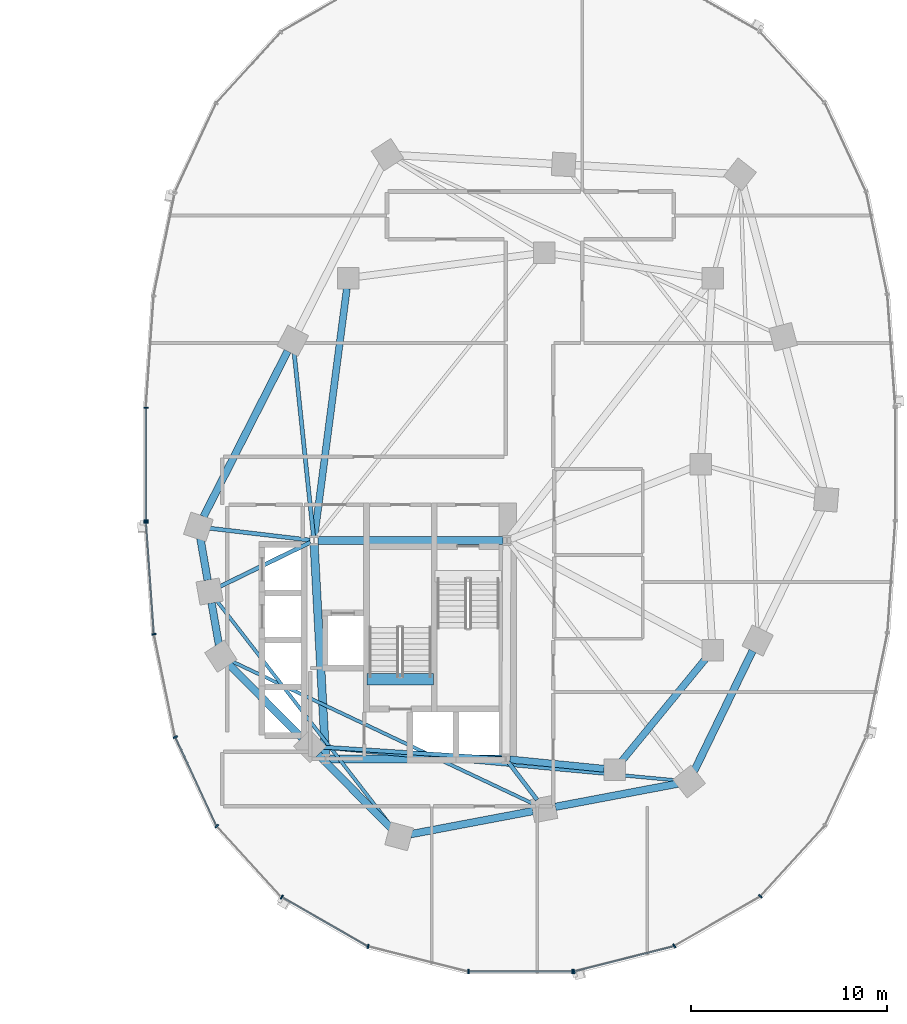
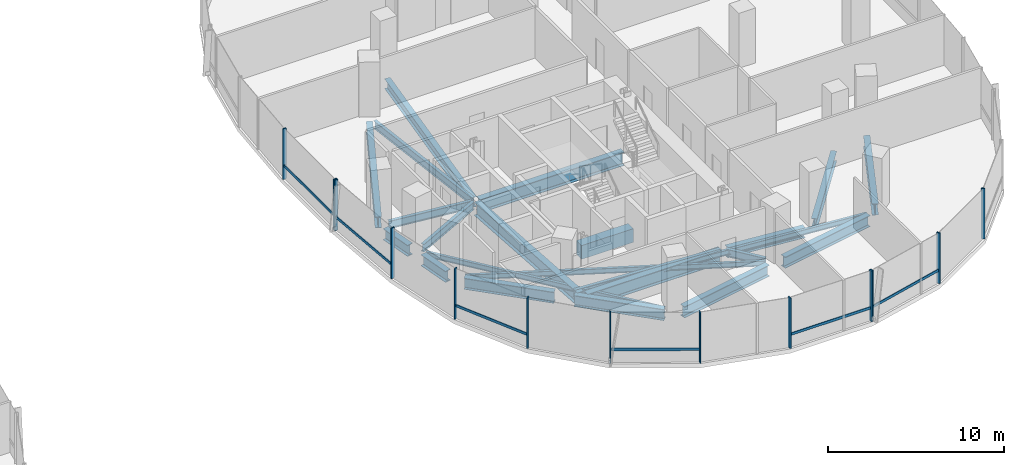
# One storey, part 5 of 22: 23 beams, 19 members, 3 elements without a shape of their own.
"""IFC4 building model written with IfcOpenShell, lengths in metres."""

from ifc_helpers import new_model, si_unit, direction, frame, origin, origin_2d, place, context, subcontext, project, spatial, rectangle, i_section, extrude, material, material_profile, profile_set, type_object, element, aggregate, save


model = new_model("IFC4")

# Units and contexts
model_context = context("Model", 3, precision=1e-05, world=origin(), true_north=direction((0.0, 1.0)))
body_context = subcontext(model_context, "Body", "Model", "MODEL_VIEW")
ifc_project = project(units=[si_unit("LENGTHUNIT", "METRE"), si_unit("AREAUNIT", "SQUARE_METRE"), si_unit("VOLUMEUNIT", "CUBIC_METRE"), si_unit("PLANEANGLEUNIT", "RADIAN"), si_unit("MASSUNIT", "GRAM", prefix="KILO"), si_unit("THERMODYNAMICTEMPERATUREUNIT", "KELVIN"), si_unit("POWERUNIT", "WATT")], contexts=[model_context])

# Site, building, storey
site_placement = place(None, origin())
site = spatial("IfcSite", under=ifc_project, at=site_placement, CompositionType="ELEMENT")
building_placement = place(site_placement, origin())
building = spatial("IfcBuilding", under=site, at=building_placement, Name="Cundina Bronze Exchange", CompositionType="ELEMENT")
storey_placement = place(building_placement, frame((0.0, 0.0, 39.199951171875)))
storey = spatial("IfcBuildingStorey", under=building, at=storey_placement, Name="L09", CompositionType="ELEMENT", Elevation=39.199951171875)

# Beams
ifc_material_1 = material(Name="Concrete C60/75", Category="concrete")
ifc_material_profile_1 = material_profile(ifc_material_1, rectangle(XDim=0.60009765625, YDim=0.949951171875, at=origin_2d()), Name="RC600X950", Category="concrete")
ifc_profile_set_1 = profile_set([ifc_material_profile_1], Name="Concrete C60/75")
beam_type_1 = type_object("IfcBeamType", Name="BM-COUP-RC950", PredefinedType="LINTEL", material=ifc_profile_set_1)
beam_1_placement = place(storey_placement, frame((24.159912109375, -10.97998046875, -0.474853515625), z_axis=(1.0, 0.0, 0.0), x_axis=(0.0, 1.0, 0.0)))
element("IfcBeam", 1, at=beam_1_placement, inside=storey, type_object=beam_type_1, Name="L09 Stair E2 Landing Header Beam", PredefinedType="LINTEL", context=body_context, shape_type="SweptSolid", body=[
    extrude(rectangle(XDim=0.60009765625, YDim=0.949951171875, at=origin_2d()), origin(), (0.0, 0.0, 1.0), 3.400146484375),
])
ifc_material_2 = material(Name="Steel ASTM A992 Grade 50", Category="steel")
ifc_material_profile_2 = material_profile(ifc_material_2, i_section(OverallWidth=0.2099609375, OverallDepth=0.532958984375, WebThickness=0.01025390625, FlangeThickness=0.015625, FilletRadius=0.013916015625, at=origin_2d()), Name="W21X62", Category="steel")
ifc_profile_set_2 = profile_set([ifc_material_profile_2], Name="Steel ASTM A992 Grade 50")
beam_type_2 = type_object("IfcBeamType", Name="BM-FLR-W21B", PredefinedType="BEAM", material=ifc_profile_set_2)
beam_2_placement = place(storey_placement, frame((21.247314453125, -3.8759765625, -0.56640625), z_axis=(-0.993035236117, 0.117817739878, 0.0), x_axis=(-0.117817739878, -0.993035236117, 0.0)))
element("IfcBeam", 2, at=beam_2_placement, inside=storey, type_object=beam_type_2, Name="L09 Leg E Chordal Floor Beam 00", PredefinedType="BEAM", context=body_context, shape_type="SweptSolid", body=[
    extrude(i_section(OverallWidth=0.2099609375, OverallDepth=0.532958984375, WebThickness=0.01025390625, FlangeThickness=0.015625, FilletRadius=0.013916015625, at=origin_2d()), origin(), (0.0, 0.0, 1.0), 5.1494140625),
])
beam_3_placement = place(storey_placement, frame((21.2666015625, -3.989501953125, -0.56640625), z_axis=(-0.898610249448, -0.438747785849, 0.0), x_axis=(0.438747785849, -0.898610249448, 0.0)))
element("IfcBeam", 3, at=beam_3_placement, inside=storey, type_object=beam_type_2, Name="L09 Leg E Chordal Floor Beam 01", PredefinedType="BEAM", context=body_context, shape_type="SweptSolid", body=[
    extrude(i_section(OverallWidth=0.2099609375, OverallDepth=0.532958984375, WebThickness=0.01025390625, FlangeThickness=0.015625, FilletRadius=0.013916015625, at=origin_2d()), origin(), (0.0, 0.0, 1.0), 5.1337890625),
])
beam_4_placement = place(storey_placement, frame((31.04638671875, -15.036865234375, -0.56640625), z_axis=(-0.99789233798, 0.064891307594, 0.0), x_axis=(-0.064891307594, -0.99789233798, 0.0)))
element("IfcBeam", 4, at=beam_4_placement, inside=storey, type_object=beam_type_2, Name="L09 Leg E Chordal Floor Beam 03", PredefinedType="BEAM", context=body_context, shape_type="SweptSolid", body=[
    extrude(i_section(OverallWidth=0.2099609375, OverallDepth=0.532958984375, WebThickness=0.01025390625, FlangeThickness=0.015625, FilletRadius=0.013916015625, at=origin_2d()), origin(), (0.0, 0.0, 1.0), 9.22900390625),
])
beam_5_placement = place(storey_placement, frame((31.373779296875, -15.2119140625, -0.56640625), z_axis=(0.607468844289, -0.794343504548, 0.0), x_axis=(0.794343504548, 0.607468844289, 0.0)))
element("IfcBeam", 5, at=beam_5_placement, inside=storey, type_object=beam_type_2, Name="L09 Leg E Chordal Floor Beam 05", PredefinedType="BEAM", context=body_context, shape_type="SweptSolid", body=[
    extrude(i_section(OverallWidth=0.2099609375, OverallDepth=0.532958984375, WebThickness=0.01025390625, FlangeThickness=0.015625, FilletRadius=0.013916015625, at=origin_2d()), origin(), (0.0, 0.0, 1.0), 2.418212890625),
])
beam_6_placement = place(storey_placement, frame((21.4287109375, -3.697021484375, -0.56640625), z_axis=(-0.10483517787, 0.994489610544, 0.0), x_axis=(-0.994489610544, -0.10483517787, 0.0)))
element("IfcBeam", 6, at=beam_6_placement, inside=storey, type_object=beam_type_2, Name="L09 Leg E Chordal Floor Beam 13", PredefinedType="BEAM", context=body_context, shape_type="SweptSolid", body=[
    extrude(i_section(OverallWidth=0.2099609375, OverallDepth=0.532958984375, WebThickness=0.01025390625, FlangeThickness=0.015625, FilletRadius=0.013916015625, at=origin_2d()), origin(), (0.0, 0.0, 1.0), 9.46435546875),
])
ifc_material_profile_3 = material_profile(ifc_material_2, i_section(OverallWidth=0.172119140625, OverallDepth=0.35791015625, WebThickness=0.0078125, FlangeThickness=0.01318359375, FilletRadius=0.010009765625, at=origin_2d()), Name="W14X38", Category="steel")
ifc_profile_set_3 = profile_set([ifc_material_profile_3], Name="Steel ASTM A992 Grade 50")
beam_type_3 = type_object("IfcBeamType", Name="BM-JST-W14", PredefinedType="JOIST", material=ifc_profile_set_3)
beam_7_placement = place(storey_placement, frame((16.48486328125, -6.965087890625, -0.47900390625), z_axis=(0.612089386305, -0.790788583108, 0.0), x_axis=(0.790788583108, 0.612089386305, 0.0)))
element("IfcBeam", 7, at=beam_7_placement, inside=storey, type_object=beam_type_3, Name="L09 Leg E Lobe Floor Joist 01-04", PredefinedType="JOIST", context=body_context, shape_type="SweptSolid", body=[
    extrude(i_section(OverallWidth=0.172119140625, OverallDepth=0.35791015625, WebThickness=0.0078125, FlangeThickness=0.01318359375, FilletRadius=0.010009765625, at=origin_2d()), origin(), (0.0, 0.0, 1.0), 14.630859375),
])
beam_8_placement = place(storey_placement, frame((17.231689453125, -10.05126953125, -0.47900390625), z_axis=(0.904072668297, -0.427378766949, 0.0), x_axis=(0.427378766949, 0.904072668297, 0.0)))
element("IfcBeam", 8, at=beam_8_placement, inside=storey, type_object=beam_type_3, Name="L09 Leg E Lobe Floor Joist 02-05", PredefinedType="JOIST", context=body_context, shape_type="SweptSolid", body=[
    extrude(i_section(OverallWidth=0.172119140625, OverallDepth=0.35791015625, WebThickness=0.0078125, FlangeThickness=0.01318359375, FilletRadius=0.010009765625, at=origin_2d()), origin(), (0.0, 0.0, 1.0), 17.07470703125),
])
beam_9_placement = place(storey_placement, frame((21.83544921875, -14.45458984375, -0.47900390625), z_axis=(0.995701961644, -0.09261535282, 0.0), x_axis=(0.09261535282, 0.995701961644, 0.0)))
element("IfcBeam", 9, at=beam_9_placement, inside=storey, type_object=beam_type_3, Name="L09 Leg E Lobe Floor Joist 03-06", PredefinedType="JOIST", context=body_context, shape_type="SweptSolid", body=[
    extrude(i_section(OverallWidth=0.172119140625, OverallDepth=0.35791015625, WebThickness=0.0078125, FlangeThickness=0.01318359375, FilletRadius=0.010009765625, at=origin_2d()), origin(), (0.0, 0.0, 1.0), 18.25732421875),
])
ifc_material_profile_4 = material_profile(ifc_material_2, i_section(OverallWidth=0.35498046875, OverallDepth=0.695068359375, WebThickness=0.015380859375, FlangeThickness=0.02490234375, FilletRadius=0.01806640625, at=origin_2d()), Name="W27X146", Category="steel")
ifc_profile_set_4 = profile_set([ifc_material_profile_4], Name="Steel ASTM A992 Grade 50")
beam_type_4 = type_object("IfcBeamType", Name="BM-RING-W27", PredefinedType="USERDEFINED", material=ifc_profile_set_4)
beam_10_placement = place(storey_placement, frame((31.452880859375, -15.070068359375, -0.6474609375), z_axis=(0.995126271817, -0.098608839051, 0.0), x_axis=(0.098608839051, 0.995126271817, 0.0)))
element("IfcBeam", 10, at=beam_10_placement, inside=storey, type_object=beam_type_4, Name="L09 E Inner Structural Ring Girder 01", ObjectType="GIRDER", PredefinedType="USERDEFINED", context=body_context, shape_type="SweptSolid", body=[
    extrude(i_section(OverallWidth=0.35498046875, OverallDepth=0.695068359375, WebThickness=0.015380859375, FlangeThickness=0.02490234375, FilletRadius=0.01806640625, at=origin_2d()), origin(), (0.0, 0.0, 1.0), 4.83544921875),
])
beam_11_placement = place(storey_placement, frame((37.14111328125, -15.183837890625, -0.6474609375), z_axis=(0.633926549035, 0.773393257295, 0.0), x_axis=(-0.773393257295, 0.633926549035, 0.0)))
element("IfcBeam", 11, at=beam_11_placement, inside=storey, type_object=beam_type_4, Name="L09 E Inner Structural Ring Girder 02", ObjectType="GIRDER", PredefinedType="USERDEFINED", context=body_context, shape_type="SweptSolid", body=[
    extrude(i_section(OverallWidth=0.35498046875, OverallDepth=0.695068359375, WebThickness=0.015380859375, FlangeThickness=0.02490234375, FilletRadius=0.01806640625, at=origin_2d()), origin(), (0.0, 0.0, 1.0), 6.811279296875),
])
beam_12_placement = place(storey_placement, frame((23.13037109375, 8.966552734375, -0.6474609375), z_axis=(-0.129507526533, -0.99157843894, 0.0), x_axis=(0.99157843894, -0.129507526533, 0.0)))
element("IfcBeam", 12, at=beam_12_placement, inside=storey, type_object=beam_type_4, Name="L09 E Inner Structural Ring Girder 07", ObjectType="GIRDER", PredefinedType="USERDEFINED", context=body_context, shape_type="SweptSolid", body=[
    extrude(i_section(OverallWidth=0.35498046875, OverallDepth=0.695068359375, WebThickness=0.015380859375, FlangeThickness=0.02490234375, FilletRadius=0.01806640625, at=origin_2d()), origin(), (0.0, 0.0, 1.0), 12.77197265625),
])
ifc_material_profile_5 = material_profile(ifc_material_2, i_section(OverallWidth=0.381103515625, OverallDepth=0.77294921875, WebThickness=0.0166015625, FlangeThickness=0.027099609375, FilletRadius=0.01904296875, at=origin_2d()), Name="W30X173", Category="steel")
ifc_profile_set_5 = profile_set([ifc_material_profile_5], Name="Steel ASTM A992 Grade 50")
beam_type_5 = type_object("IfcBeamType", Name="BM-RING-W30", PredefinedType="USERDEFINED", material=ifc_profile_set_5)
for number, where, z_axis, x_axis, name in (
    (13, (15.65087890625, -3.779296875, -0.6865234375), (0.171734584051, -0.985143254883, 0.0), (0.985143254883, 0.171734584051, 0.0), "L09 E Perimeter Ring Girder 00"),
    (14, (16.225830078125, -7.079345703125, -0.6865234375), (0.171734584051, -0.985143254883, 0.0), (0.985143254883, 0.171734584051, 0.0), "L09 E Perimeter Ring Girder 01"),
):
    element("IfcBeam", number, at=place(storey_placement, frame(where, z_axis=z_axis, x_axis=x_axis)), inside=storey, type_object=beam_type_5, Name=name, ObjectType="GIRDER", PredefinedType="USERDEFINED", context=body_context, shape_type="SweptSolid", body=[
        extrude(i_section(OverallWidth=0.381103515625, OverallDepth=0.77294921875, WebThickness=0.0166015625, FlangeThickness=0.027099609375, FilletRadius=0.01904296875, at=origin_2d()), origin(), (0.0, 0.0, 1.0), 2.173583984375),
    ])
for number, where, z_axis, x_axis, name in (
    (15, (17.113525390625, -10.218017578125, -0.6865234375), (0.703222428859, -0.710969911845, 0.0), (0.710969911845, 0.703222428859, 0.0), "L09 E Perimeter Ring Girder 02"),
    (16, (21.66357421875, -14.818115234375, -0.6865234375), (0.703222428859, -0.710969911845, 0.0), (0.710969911845, 0.703222428859, 0.0), "L09 E Perimeter Ring Girder 03"),
):
    element("IfcBeam", number, at=place(storey_placement, frame(where, z_axis=z_axis, x_axis=x_axis)), inside=storey, type_object=beam_type_5, Name=name, ObjectType="GIRDER", PredefinedType="USERDEFINED", context=body_context, shape_type="SweptSolid", body=[
        extrude(i_section(OverallWidth=0.381103515625, OverallDepth=0.77294921875, WebThickness=0.0166015625, FlangeThickness=0.027099609375, FilletRadius=0.01904296875, at=origin_2d()), origin(), (0.0, 0.0, 1.0), 5.2939453125),
    ])
beam_13_placement = place(storey_placement, frame((26.377685546875, -18.890625, -0.6865234375), z_axis=(0.982570814598, 0.185888661031, 0.0), x_axis=(-0.185888661031, 0.982570814598, 0.0)))
element("IfcBeam", 17, at=beam_13_placement, inside=storey, type_object=beam_type_5, Name="L09 E Perimeter Ring Girder 04", ObjectType="GIRDER", PredefinedType="USERDEFINED", context=body_context, shape_type="SweptSolid", body=[
    extrude(i_section(OverallWidth=0.381103515625, OverallDepth=0.77294921875, WebThickness=0.0166015625, FlangeThickness=0.027099609375, FilletRadius=0.01904296875, at=origin_2d()), origin(), (0.0, 0.0, 1.0), 6.35546875),
])
beam_14_placement = place(storey_placement, frame((33.77783203125, -17.49072265625, -0.6865234375), z_axis=(0.982569487119, 0.185895677686, 0.0), x_axis=(-0.185895677686, 0.982569487119, 0.0)))
element("IfcBeam", 18, at=beam_14_placement, inside=storey, type_object=beam_type_5, Name="L09 E Perimeter Ring Girder 05", ObjectType="GIRDER", PredefinedType="USERDEFINED", context=body_context, shape_type="SweptSolid", body=[
    extrude(i_section(OverallWidth=0.381103515625, OverallDepth=0.77294921875, WebThickness=0.0166015625, FlangeThickness=0.027099609375, FilletRadius=0.01904296875, at=origin_2d()), origin(), (0.0, 0.0, 1.0), 6.355224609375),
])
beam_15_placement = place(storey_placement, frame((40.857177734375, -15.671142578125, -0.6865234375), z_axis=(0.437190698904, 0.899368830231, 0.0), x_axis=(-0.899368830231, 0.437190698904, 0.0)))
element("IfcBeam", 19, at=beam_15_placement, inside=storey, type_object=beam_type_5, Name="L09 E Perimeter Ring Girder 06", ObjectType="GIRDER", PredefinedType="USERDEFINED", context=body_context, shape_type="SweptSolid", body=[
    extrude(i_section(OverallWidth=0.381103515625, OverallDepth=0.77294921875, WebThickness=0.0166015625, FlangeThickness=0.027099609375, FilletRadius=0.01904296875, at=origin_2d()), origin(), (0.0, 0.0, 1.0), 6.82958984375),
])
beam_16_placement = place(storey_placement, frame((20.108642578125, 5.775634765625, -0.6865234375), z_axis=(-0.452819633606, -0.891602141889, 0.0), x_axis=(0.891602141889, -0.452819633606, 0.0)))
element("IfcBeam", 20, at=beam_16_placement, inside=storey, type_object=beam_type_5, Name="L09 E Perimeter Ring Girder 13", ObjectType="GIRDER", PredefinedType="USERDEFINED", context=body_context, shape_type="SweptSolid", body=[
    extrude(i_section(OverallWidth=0.381103515625, OverallDepth=0.77294921875, WebThickness=0.0166015625, FlangeThickness=0.027099609375, FilletRadius=0.01904296875, at=origin_2d()), origin(), (0.0, 0.0, 1.0), 9.47900390625),
])
ifc_material_profile_6 = material_profile(ifc_material_2, i_section(OverallWidth=0.41796875, OverallDepth=0.927001953125, WebThickness=0.019287109375, FlangeThickness=0.031982421875, FilletRadius=0.02392578125, at=origin_2d()), Name="W36X231", Category="steel")
ifc_profile_set_6 = profile_set([ifc_material_profile_6], Name="Steel ASTM A992 Grade 50")
beam_type_6 = type_object("IfcBeamType", Name="BM-WRN-W36B", PredefinedType="USERDEFINED", material=ifc_profile_set_6)
beam_17_placement = place(storey_placement, frame((31.095947265625, -3.89990234375, -0.763427734375), z_axis=(-1.0, 0.0, 0.0), x_axis=(0.0, -1.0, 0.0)))
element("IfcBeam", 21, at=beam_17_placement, inside=storey, type_object=beam_type_6, Name="L09 E Core Perimeter Tie Girder 1", ObjectType="GIRDER", PredefinedType="USERDEFINED", context=body_context, shape_type="SweptSolid", body=[
    extrude(i_section(OverallWidth=0.41796875, OverallDepth=0.927001953125, WebThickness=0.019287109375, FlangeThickness=0.031982421875, FilletRadius=0.02392578125, at=origin_2d()), origin(), (0.0, 0.0, 1.0), 9.44189453125),
])
beam_18_placement = place(storey_placement, frame((21.4609375, -4.103759765625, -0.763427734375), z_axis=(0.053739193498, -0.998555005537, 0.0), x_axis=(0.998555005537, 0.053739193498, 0.0)))
element("IfcBeam", 22, at=beam_18_placement, inside=storey, type_object=beam_type_6, Name="L09 E Core Perimeter Tie Girder 2", ObjectType="GIRDER", PredefinedType="USERDEFINED", context=body_context, shape_type="SweptSolid", body=[
    extrude(i_section(OverallWidth=0.41796875, OverallDepth=0.927001953125, WebThickness=0.019287109375, FlangeThickness=0.031982421875, FilletRadius=0.02392578125, at=origin_2d()), origin(), (0.0, 0.0, 1.0), 10.758056640625),
])
beam_19_placement = place(storey_placement, frame((22.25390625, -15.050048828125, -0.763427734375), z_axis=(1.0, 0.0, 0.0), x_axis=(0.0, 1.0, 0.0)))
element("IfcBeam", 23, at=beam_19_placement, inside=storey, type_object=beam_type_6, Name="L09 E Core Perimeter Tie Girder 3", ObjectType="GIRDER", PredefinedType="USERDEFINED", context=body_context, shape_type="SweptSolid", body=[
    extrude(i_section(OverallWidth=0.41796875, OverallDepth=0.927001953125, WebThickness=0.019287109375, FlangeThickness=0.031982421875, FilletRadius=0.02392578125, at=origin_2d()), origin(), (0.0, 0.0, 1.0), 8.7919921875),
])

# Curtain wall, members
ifc_material_3 = material(Name="Anodised Bronze Aluminium 6063-T6", Category="aluminium")
curtain_wall_type = type_object("IfcCurtainWallType", Name="CWS-TRD-LOW", PredefinedType="NOTDEFINED", material=ifc_material_3)
curtain_wall_1_placement = place(storey_placement, origin())
curtain_wall_1 = element("IfcCurtainWall", 24, at=curtain_wall_1_placement, inside=storey, type_object=curtain_wall_type, Name="L09 CW-02 Curtain Wall Run CWR-L09-E2", PredefinedType="NOTDEFINED")
ifc_material_profile_7 = material_profile(ifc_material_3, rectangle(XDim=0.074951171875, YDim=0.219970703125, at=origin_2d()), Name="AL75X220", Category="aluminium")
ifc_profile_set_7 = profile_set([ifc_material_profile_7], Name="Anodised Bronze Aluminium 6063-T6")
member_type_1 = type_object("IfcMemberType", Name="CWM-MUL-220", PredefinedType="MULLION", material=ifc_profile_set_7)
member_1_placement = place(storey_placement, frame((12.8720703125, 2.880615234375, 0.0), z_axis=(0.0, 0.0, 1.0), x_axis=(0.0, -1.0, 0.0)))
member_1 = element("IfcMember", 25, at=member_1_placement, type_object=member_type_1, Name="CW-02 Mullion 7", PredefinedType="MULLION", context=body_context, shape_type="SweptSolid", body=[
    extrude(rectangle(XDim=0.074951171875, YDim=0.219970703125, at=origin_2d()), origin(), (0.0, 0.0, 1.0), 3.5),
])
member_2_placement = place(storey_placement, frame((12.8720703125, -2.880615234375, 0.0), z_axis=(0.0, 0.0, 1.0), x_axis=(0.0, -1.0, 0.0)))
member_2 = element("IfcMember", 26, at=member_2_placement, type_object=member_type_1, Name="CW-02 End Mullion", PredefinedType="MULLION", context=body_context, shape_type="SweptSolid", body=[
    extrude(rectangle(XDim=0.074951171875, YDim=0.219970703125, at=origin_2d()), origin(), (0.0, 0.0, 1.0), 3.5),
])

curtain_wall_2_placement = place(storey_placement, origin())
curtain_wall_2 = element("IfcCurtainWall", 27, at=curtain_wall_2_placement, inside=storey, type_object=curtain_wall_type, Name="L09 CW-02 Curtain Wall Run CWR-L09-E3", PredefinedType="NOTDEFINED")
member_3_placement = place(storey_placement, frame((12.87548828125, -2.976318359375, 0.0), z_axis=(0.0, 0.0, 1.0), x_axis=(0.070278787473, -0.997527389113, 0.0)))
member_3 = element("IfcMember", 28, at=member_3_placement, type_object=member_type_1, Name="CW-02 Mullion 1", PredefinedType="MULLION", context=body_context, shape_type="SweptSolid", body=[
    extrude(rectangle(XDim=0.074951171875, YDim=0.219970703125, at=origin_2d()), origin(), (0.0, 0.0, 1.0), 3.5),
])
member_4_placement = place(storey_placement, frame((13.282958984375, -8.67822265625, 0.0), z_axis=(0.0, 0.0, 1.0), x_axis=(0.201419845156, -0.979505000486, 0.0)))
member_4 = element("IfcMember", 29, at=member_4_placement, type_object=member_type_1, Name="CW-02 Mullion 2", PredefinedType="MULLION", context=body_context, shape_type="SweptSolid", body=[
    extrude(rectangle(XDim=0.074951171875, YDim=0.219970703125, at=origin_2d()), origin(), (0.0, 0.0, 1.0), 3.5),
])
member_5_placement = place(storey_placement, frame((14.3720703125, -13.931884765625, 0.0), z_axis=(0.0, 0.0, 1.0), x_axis=(0.42087749791, -0.907117485088, 0.0)))
member_5 = element("IfcMember", 30, at=member_5_placement, type_object=member_type_1, Name="CW-02 Mullion 3", PredefinedType="MULLION", context=body_context, shape_type="SweptSolid", body=[
    extrude(rectangle(XDim=0.074951171875, YDim=0.219970703125, at=origin_2d()), origin(), (0.0, 0.0, 1.0), 3.5),
])
member_6_placement = place(storey_placement, frame((16.491455078125, -18.47705078125, 0.0), z_axis=(0.0, 0.0, 1.0), x_axis=(0.674302387584, -0.738455340626, 0.0)))
member_6 = element("IfcMember", 31, at=member_6_placement, type_object=member_type_1, Name="CW-02 Mullion 4", PredefinedType="MULLION", context=body_context, shape_type="SweptSolid", body=[
    extrude(rectangle(XDim=0.074951171875, YDim=0.219970703125, at=origin_2d()), origin(), (0.0, 0.0, 1.0), 3.5),
])
member_7_placement = place(storey_placement, frame((19.810302734375, -22.097412109375, 0.0), z_axis=(0.0, 0.0, 1.0), x_axis=(0.867070701164, -0.498185105339, 0.0)))
member_7 = element("IfcMember", 32, at=member_7_placement, type_object=member_type_1, Name="CW-02 Mullion 5", PredefinedType="MULLION", context=body_context, shape_type="SweptSolid", body=[
    extrude(rectangle(XDim=0.074951171875, YDim=0.219970703125, at=origin_2d()), origin(), (0.0, 0.0, 1.0), 3.5),
])
member_8_placement = place(storey_placement, frame((24.21484375, -24.61669921875, 0.0), z_axis=(0.0, 0.0, 1.0), x_axis=(0.969488149345, -0.245138182011, 0.0)))
member_8 = element("IfcMember", 33, at=member_8_placement, type_object=member_type_1, Name="CW-02 Mullion 6", PredefinedType="MULLION", context=body_context, shape_type="SweptSolid", body=[
    extrude(rectangle(XDim=0.074951171875, YDim=0.219970703125, at=origin_2d()), origin(), (0.0, 0.0, 1.0), 3.5),
])
member_9_placement = place(storey_placement, frame((29.345458984375, -25.905029296875, 0.0), z_axis=(0.0, 0.0, 1.0), x_axis=(1.0, 0.0, 0.0)))
member_9 = element("IfcMember", 34, at=member_9_placement, type_object=member_type_1, Name="CW-02 Mullion 7", PredefinedType="MULLION", context=body_context, shape_type="SweptSolid", body=[
    extrude(rectangle(XDim=0.074951171875, YDim=0.219970703125, at=origin_2d()), origin(), (0.0, 0.0, 1.0), 3.5),
])
member_10_placement = place(storey_placement, frame((34.654541015625, -25.905029296875, 0.0), z_axis=(0.0, 0.0, 1.0), x_axis=(1.0, 0.0, 0.0)))
member_10 = element("IfcMember", 35, at=member_10_placement, type_object=member_type_1, Name="CW-02 End Mullion", PredefinedType="MULLION", context=body_context, shape_type="SweptSolid", body=[
    extrude(rectangle(XDim=0.074951171875, YDim=0.219970703125, at=origin_2d()), origin(), (0.0, 0.0, 1.0), 3.5),
])

curtain_wall_3_placement = place(storey_placement, origin())
curtain_wall_3 = element("IfcCurtainWall", 36, at=curtain_wall_3_placement, inside=storey, type_object=curtain_wall_type, Name="L09 CW-02 Curtain Wall Run CWR-L09-E4", PredefinedType="NOTDEFINED")
member_11_placement = place(storey_placement, frame((34.72607421875, -25.89599609375, 0.0), z_axis=(0.0, 0.0, 1.0), x_axis=(0.969488149345, 0.245138182011, 0.0)))
member_11 = element("IfcMember", 37, at=member_11_placement, type_object=member_type_1, Name="CW-02 Mullion 1", PredefinedType="MULLION", context=body_context, shape_type="SweptSolid", body=[
    extrude(rectangle(XDim=0.074951171875, YDim=0.219970703125, at=origin_2d()), origin(), (0.0, 0.0, 1.0), 3.5),
])
member_12_placement = place(storey_placement, frame((39.848876953125, -24.591064453125, 0.0), z_axis=(0.0, 0.0, 1.0), x_axis=(0.867070701164, 0.498185105339, 0.0)))
member_12 = element("IfcMember", 38, at=member_12_placement, type_object=member_type_1, Name="CW-02 Mullion 2", PredefinedType="MULLION", context=body_context, shape_type="SweptSolid", body=[
    extrude(rectangle(XDim=0.074951171875, YDim=0.219970703125, at=origin_2d()), origin(), (0.0, 0.0, 1.0), 3.5),
])
member_13_placement = place(storey_placement, frame((44.239501953125, -22.0576171875, 0.0), z_axis=(0.0, 0.0, 1.0), x_axis=(0.674302387584, 0.738455340626, 0.0)))
member_13 = element("IfcMember", 39, at=member_13_placement, type_object=member_type_1, Name="CW-02 Mullion 3", PredefinedType="MULLION", context=body_context, shape_type="SweptSolid", body=[
    extrude(rectangle(XDim=0.074951171875, YDim=0.219970703125, at=origin_2d()), origin(), (0.0, 0.0, 1.0), 3.5),
])

# Member
ifc_material_profile_8 = material_profile(ifc_material_3, rectangle(XDim=0.070068359375, YDim=0.179931640625, at=origin_2d()), Name="AL70X180", Category="aluminium")
ifc_profile_set_8 = profile_set([ifc_material_profile_8], Name="Anodised Bronze Aluminium 6063-T6")
member_type_2 = type_object("IfcMemberType", Name="CWM-TRN-180", PredefinedType="USERDEFINED", material=ifc_profile_set_8)
member_14_placement = place(storey_placement, frame((12.8720703125, 2.839111328125, 0.920166015625), z_axis=(0.0, -1.0, 0.0), x_axis=(1.0, 0.0, 0.0)))
member_14 = element("IfcMember", 40, at=member_14_placement, type_object=member_type_2, Name="CW-02 Spandrel Transom 7", ObjectType="TRANSOM", PredefinedType="USERDEFINED", context=body_context, shape_type="SweptSolid", body=[
    extrude(rectangle(XDim=0.070068359375, YDim=0.179931640625, at=origin_2d()), origin(), (0.0, 0.0, 1.0), 5.67822265625),
])

aggregate(curtain_wall_1, [member_1, member_2, member_14])

member_15_placement = place(storey_placement, frame((12.87841796875, -3.017333984375, 0.920166015625), z_axis=(0.070260714471, -0.997528662246, 0.0), x_axis=(0.997528662246, 0.070260714471, 0.0)))
member_15 = element("IfcMember", 41, at=member_15_placement, type_object=member_type_2, Name="CW-02 Spandrel Transom 1", ObjectType="TRANSOM", PredefinedType="USERDEFINED", context=body_context, shape_type="SweptSolid", body=[
    extrude(rectangle(XDim=0.070068359375, YDim=0.179931640625, at=origin_2d()), origin(), (0.0, 0.0, 1.0), 5.629150390625),
])

member_16_placement = place(storey_placement, frame((14.389404296875, -13.96923828125, 0.920166015625), z_axis=(0.420811422796, -0.907148139195, 0.0), x_axis=(0.907148139195, 0.420811422796, 0.0)))
member_16 = element("IfcMember", 42, at=member_16_placement, type_object=member_type_2, Name="CW-02 Spandrel Transom 3", ObjectType="TRANSOM", PredefinedType="USERDEFINED", context=body_context, shape_type="SweptSolid", body=[
    extrude(rectangle(XDim=0.070068359375, YDim=0.179931640625, at=origin_2d()), origin(), (0.0, 0.0, 1.0), 4.95166015625),
])

member_17_placement = place(storey_placement, frame((19.845947265625, -22.117919921875, 0.920166015625), z_axis=(0.867097475651, -0.498138502546, 0.0), x_axis=(0.498138502546, 0.867097475651, 0.0)))
member_17 = element("IfcMember", 43, at=member_17_placement, type_object=member_type_2, Name="CW-02 Spandrel Transom 5", ObjectType="TRANSOM", PredefinedType="USERDEFINED", context=body_context, shape_type="SweptSolid", body=[
    extrude(rectangle(XDim=0.070068359375, YDim=0.179931640625, at=origin_2d()), origin(), (0.0, 0.0, 1.0), 5.00634765625),
])

member_18_placement = place(storey_placement, frame((29.38671875, -25.905029296875, 0.920166015625), z_axis=(1.0, 0.0, 0.0), x_axis=(0.0, 1.0, 0.0)))
member_18 = element("IfcMember", 44, at=member_18_placement, type_object=member_type_2, Name="CW-02 Spandrel Transom 7", ObjectType="TRANSOM", PredefinedType="USERDEFINED", context=body_context, shape_type="SweptSolid", body=[
    extrude(rectangle(XDim=0.070068359375, YDim=0.179931640625, at=origin_2d()), origin(), (0.0, 0.0, 1.0), 5.2265625),
])

aggregate(curtain_wall_2, [member_3, member_15, member_4, member_5, member_16, member_6, member_7, member_17, member_8, member_9, member_10, member_18])

member_19_placement = place(storey_placement, frame((34.76611328125, -25.885986328125, 0.920166015625), z_axis=(0.969483968866, 0.245154714644, 0.0), x_axis=(-0.245154714644, 0.969483968866, 0.0)))
member_19 = element("IfcMember", 45, at=member_19_placement, type_object=member_type_2, Name="CW-02 Spandrel Transom 1", ObjectType="TRANSOM", PredefinedType="USERDEFINED", context=body_context, shape_type="SweptSolid", body=[
    extrude(rectangle(XDim=0.070068359375, YDim=0.179931640625, at=origin_2d()), origin(), (0.0, 0.0, 1.0), 5.21826171875),
])

aggregate(curtain_wall_3, [member_11, member_19, member_12, member_13])

save(model, "model.ifc")
